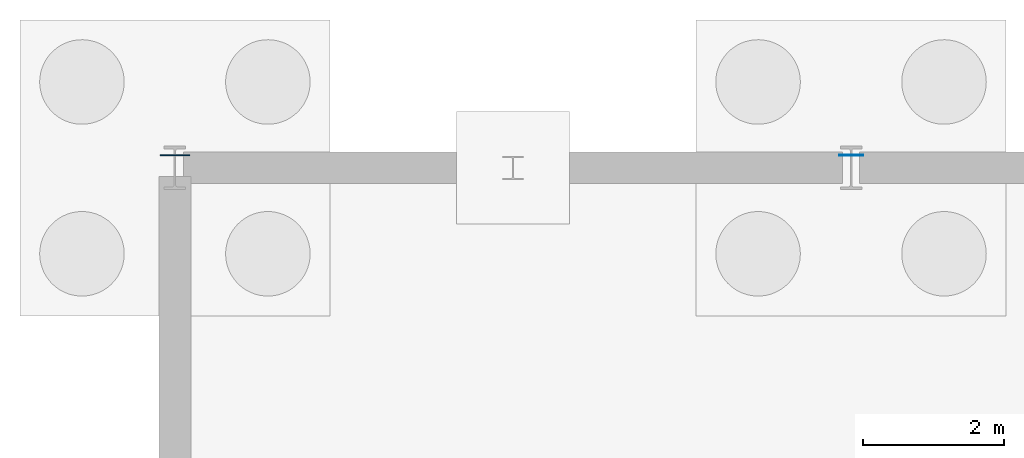
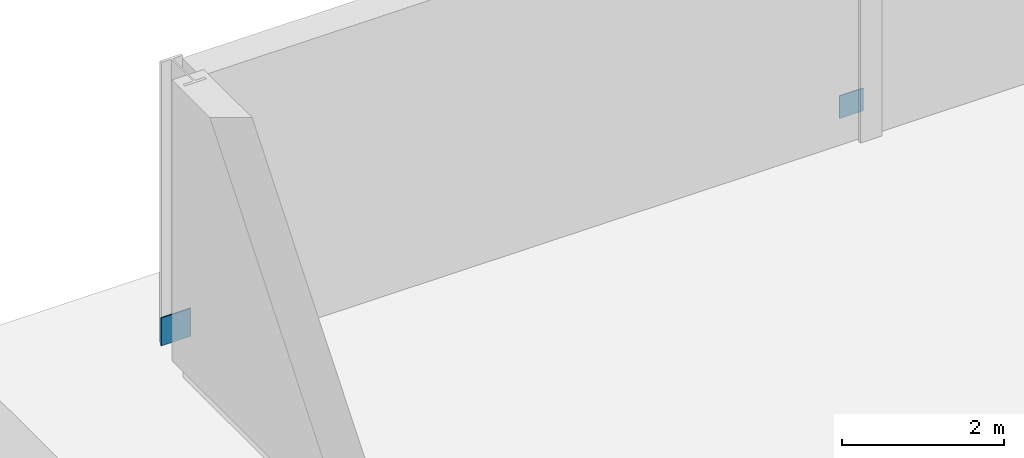
# One storey, part 35 of 47: 2 plates.
"""IFC4 building model written with IfcOpenShell, lengths in metres."""

import ifcopenshell
import ifcopenshell.guid

model = None  # the IFC model being written
_history = None  # IfcOwnerHistory: only IFC2X3 demands one
_inside = {}  # id of a spatial element -> (the spatial element, [elements in it])
_under = {}  # id of a project, library or spatial element -> (it, [spatial elements below it])
_declared = {}  # id of a project -> (the project, [libraries it declares])
_typed = {}  # id of a type object -> (the type object, [elements of that type])
_made_of = {}  # id of a material, layer set ... -> (it, [elements and type objects made of it])


def new_model(schema):
    """Start an empty IFC model of exactly this schema.

    Asked for "IFC4X3", IfcOpenShell would pick the latest addendum, in which some entities
    have other attributes; the version numbers below select the first issue.
    IFC2X3 requires an IfcOwnerHistory on every rooted entity: one is made here for all.
    """
    global model, _history
    if schema == "IFC4X3":
        model = ifcopenshell.file(schema_version=(4, 3, 0, 0))
    else:
        model = ifcopenshell.file(schema=schema)
    _inside.clear()
    _under.clear()
    _declared.clear()
    _typed.clear()
    _made_of.clear()
    _history = None
    if model.schema == "IFC2X3":
        org = make("IfcOrganization", Name="unknown")
        user = make(
            "IfcPersonAndOrganization",
            ThePerson=make("IfcPerson", FamilyName="unknown"),
            TheOrganization=org,
        )
        app = make(
            "IfcApplication",
            ApplicationDeveloper=org,
            Version="unknown",
            ApplicationFullName="unknown",
            ApplicationIdentifier="unknown",
        )
        _history = make(
            "IfcOwnerHistory",
            OwningUser=user,
            OwningApplication=app,
            ChangeAction="ADDED",
            CreationDate=0,
        )
    return model


def make(cls, **values):
    """One entity of the class cls with the attributes given. An attribute that is None is left unset."""
    return model.create_entity(
        cls, **{name: value for name, value in values.items() if value is not None}
    )


def rooted(cls, **values):
    """An entity with a GlobalId (a new one), such as an element, a storey or a relation."""
    return make(cls, GlobalId=ifcopenshell.guid.new(), OwnerHistory=_history, **values)


def si_unit(unit_type, name, prefix=None):
    """IfcSIUnit, for example si_unit("LENGTHUNIT", "METRE", prefix="MILLI")."""
    return make("IfcSIUnit", UnitType=unit_type, Prefix=prefix, Name=name)


def assignment(units):
    """IfcUnitAssignment: the units of a project."""
    return None if units is None else make("IfcUnitAssignment", Units=units)


def point(xyz):
    """IfcCartesianPoint."""
    return None if xyz is None else make("IfcCartesianPoint", Coordinates=xyz)


def direction(xyz):
    """IfcDirection."""
    return None if xyz is None else make("IfcDirection", DirectionRatios=xyz)


def frame(location, z_axis=None, x_axis=None):
    """IfcAxis2Placement3D, a coordinate frame: its origin and axes. An axis left out is left unset."""
    return make(
        "IfcAxis2Placement3D",
        Location=point(location),
        Axis=direction(z_axis),
        RefDirection=direction(x_axis),
    )


def frame_2d(location, x_axis=None):
    """IfcAxis2Placement2D, a coordinate frame in the plane: its origin and x axis."""
    return make(
        "IfcAxis2Placement2D", Location=point(location), RefDirection=direction(x_axis)
    )


def origin():
    """The frame at (0, 0, 0) with its axes left unset."""
    return frame((0.0, 0.0, 0.0))


def origin_2d():
    """The frame at (0, 0) in the plane with its x axis left unset."""
    return frame_2d((0.0, 0.0))


def place(relative_to, where):
    """IfcLocalPlacement: puts the frame where relative to a parent placement (None: the world)."""
    return make(
        "IfcLocalPlacement", PlacementRelTo=relative_to, RelativePlacement=where
    )


def context(
    kind, dimensions, precision=None, world=None, true_north=None, identifier=None
):
    """IfcGeometricRepresentationContext, for example the 3D "Model" context."""
    return make(
        "IfcGeometricRepresentationContext",
        ContextIdentifier=identifier,
        ContextType=kind,
        CoordinateSpaceDimension=dimensions,
        Precision=precision,
        WorldCoordinateSystem=world,
        TrueNorth=true_north,
    )


def subcontext(parent, identifier, kind, view, scale=None):
    """IfcGeometricRepresentationSubContext, for example "Body" below "Model"."""
    return make(
        "IfcGeometricRepresentationSubContext",
        ContextIdentifier=identifier,
        ContextType=kind,
        ParentContext=parent,
        TargetScale=scale,
        TargetView=view,
    )


def project(units=None, contexts=None):
    """IfcProject with its units and contexts."""
    return rooted(
        "IfcProject",
        Name="project",
        RepresentationContexts=contexts,
        UnitsInContext=assignment(units),
    )


def spatial(cls, under=None, at=None, **own):
    """A site, building, storey or space (cls), placed at a placement, below another one or the project."""
    s = rooted(cls, ObjectPlacement=at, **own)
    if under is not None:
        _under.setdefault(under.id(), (under, []))[1].append(s)
    return s


def profile(cls, at=None, kind="AREA", **sizes):
    """A parametric profile (cls). Its sizes go by their IFC names, for example OverallWidth=200.0."""
    return make(cls, ProfileType=kind, Position=at, **sizes)


def rectangle(**sizes):
    """IfcRectangleProfileDef."""
    return profile("IfcRectangleProfileDef", **sizes)


def extrude(swept, where, along, depth):
    """IfcExtrudedAreaSolid: the profile swept, set in the frame where, extruded along a direction by depth."""
    return make(
        "IfcExtrudedAreaSolid",
        SweptArea=swept,
        Position=where,
        ExtrudedDirection=direction(along),
        Depth=depth,
    )


def shape(context_of_items, identifier, shape_type, items):
    """IfcShapeRepresentation: the items that make up one representation, for example the "Body"."""
    return make(
        "IfcShapeRepresentation",
        ContextOfItems=context_of_items,
        RepresentationIdentifier=identifier,
        RepresentationType=shape_type,
        Items=items,
    )


def material(Name=None, Category=None):
    """IfcMaterial."""
    return make("IfcMaterial", Name=Name, Category=Category)


def layer(
    of_material, thickness, ventilated=None, Name=None, Category=None, Priority=None
):
    """IfcMaterialLayer: one layer of a wall or slab, of a material (None: an air gap)."""
    return make(
        "IfcMaterialLayer",
        Material=of_material,
        LayerThickness=thickness,
        IsVentilated=ventilated,
        Name=Name,
        Category=Category,
        Priority=Priority,
    )


def layer_set(layers, Name=None):
    """IfcMaterialLayerSet."""
    return make("IfcMaterialLayerSet", MaterialLayers=layers, LayerSetName=Name)


def made_of(thing, what):
    """Note that an element or type object is made of a material, layer set ...; save() writes the relation."""
    if what is not None:
        _made_of.setdefault(what.id(), (what, []))[1].append(thing)
    return thing


def type_object(cls, material=None, **own):
    """A type object (cls), such as IfcWallType, which elements share."""
    return made_of(rooted(cls, **own), material)


def element(
    cls,
    number,
    at=None,
    inside=None,
    cuts=None,
    type_object=None,
    material=None,
    context=None,
    identifier="Body",
    shape_type=None,
    held_by="IfcProductDefinitionShape",
    body=None,
    shapes=None,
    **own,
):
    """One element of the class cls, such as IfcWall. Its Tag is "e" and its number.

    at: its placement. inside: the storey or other place that contains it. cuts: it is an
    opening in that element (IfcRelVoidsElement). A single representation is given by context,
    identifier, shape_type and body (its items); several are given by shapes. held_by: the class
    of the entity that holds the representations. save() writes the other relations.
    """
    e = rooted(cls, Tag="e%d" % number, ObjectPlacement=at, **own)
    if body is not None:
        shapes = [shape(context, identifier, shape_type, body)]
    if shapes is not None:
        e.Representation = make(held_by, Representations=shapes)
    if inside is not None:
        _inside.setdefault(inside.id(), (inside, []))[1].append(e)
    if cuts is not None:
        rooted(
            "IfcRelVoidsElement", RelatingBuildingElement=cuts, RelatedOpeningElement=e
        )
    if type_object is not None:
        _typed.setdefault(type_object.id(), (type_object, []))[1].append(e)
    return made_of(e, material)


def aggregate(whole, parts):
    """IfcRelAggregates: a whole, such as a stair, and the parts it consists of."""
    return rooted("IfcRelAggregates", RelatingObject=whole, RelatedObjects=parts)


def save(model, path):
    """Write the relations noted so far, then the file.

    IfcRelAggregates (storeys below a building ...), IfcRelContainedInSpatialStructure (elements
    in a storey), IfcRelDefinesByType, IfcRelAssociatesMaterial and IfcRelDeclares: one each for
    every whole, place, type object, material and project.
    """
    for whole, parts in _under.values():
        aggregate(whole, parts)
    for where, things in _inside.values():
        rooted(
            "IfcRelContainedInSpatialStructure",
            RelatedElements=things,
            RelatingStructure=where,
        )
    for kind, things in _typed.values():
        rooted("IfcRelDefinesByType", RelatedObjects=things, RelatingType=kind)
    for what, things in _made_of.values():
        rooted("IfcRelAssociatesMaterial", RelatedObjects=things, RelatingMaterial=what)
    for by, libraries in _declared.values():
        rooted("IfcRelDeclares", RelatingContext=by, RelatedDefinitions=libraries)
    model.write(path)


model = new_model("IFC4")

# Units and contexts
model_context = context("Model", 3, precision=1e-05, world=origin(), true_north=direction((0.0, 1.0)))
body_context = subcontext(model_context, "Body", "Model", "MODEL_VIEW")
ifc_project = project(units=[si_unit("LENGTHUNIT", "METRE"), si_unit("AREAUNIT", "SQUARE_METRE"), si_unit("VOLUMEUNIT", "CUBIC_METRE"), si_unit("PLANEANGLEUNIT", "RADIAN"), si_unit("MASSUNIT", "GRAM", prefix="KILO")], contexts=[model_context])

# Site, building, storey
site_placement = place(None, origin())
site = spatial("IfcSite", under=ifc_project, at=site_placement, CompositionType="ELEMENT")
building_placement = place(site_placement, origin())
building = spatial("IfcBuilding", under=site, at=building_placement, Name="Alderhovde Museum", CompositionType="ELEMENT")
storey_placement = place(building_placement, frame((0.0, 0.0, -4.5)))
storey = spatial("IfcBuildingStorey", under=building, at=storey_placement, Name="B1", CompositionType="ELEMENT", Elevation=-4.5)

# Plates
ifc_material_1 = material(Name="Steel S355J2", Category="steel")
ifc_layer_1 = layer(ifc_material_1, 0.013916015625)
ifc_layer_set_1 = layer_set([ifc_layer_1], Name="Steel S355J2")
plate_type_1 = type_object("IfcPlateType", Name="PLT-STIFF-14", PredefinedType="SHEET", material=ifc_layer_set_1)
plate_1_placement = place(storey_placement, frame((19.199951171875, 112.179931640625, 0.080078125), z_axis=(0.0, 0.0, 1.0), x_axis=(1.0, 0.0, 0.0)))
element("IfcPlate", 1, at=plate_1_placement, inside=storey, type_object=plate_type_1, Name="Column Base Stiffener Plate 10", PredefinedType="SHEET", context=body_context, shape_type="SweptSolid", body=[
    extrude(rectangle(XDim=0.340087890625, YDim=0.013916015625, at=origin_2d()), origin(), (0.0, 0.0, 1.0), 0.340087890625),
])
ifc_material_2 = material(Name="Steel S355J2", Category="steel")
ifc_layer_2 = layer(ifc_material_2, 0.01806640625)
ifc_layer_set_2 = layer_set([ifc_layer_2], Name="Steel S355J2")
plate_type_2 = type_object("IfcPlateType", Name="PLT-STIFF-18", PredefinedType="SHEET", material=ifc_layer_set_2)
plate_2_placement = place(storey_placement, frame((9.60009765625, 112.179931640625, 0.0400390625), z_axis=(0.0, 0.0, 1.0), x_axis=(1.0, 0.0, 0.0)))
element("IfcPlate", 2, at=plate_2_placement, inside=storey, type_object=plate_type_2, Name="Column Base Stiffener Plate 5", PredefinedType="SHEET", context=body_context, shape_type="SweptSolid", body=[
    extrude(rectangle(XDim=0.419921875, YDim=0.01806640625, at=origin_2d()), origin(), (0.0, 0.0, 1.0), 0.419921875),
])

save(model, "model.ifc")
